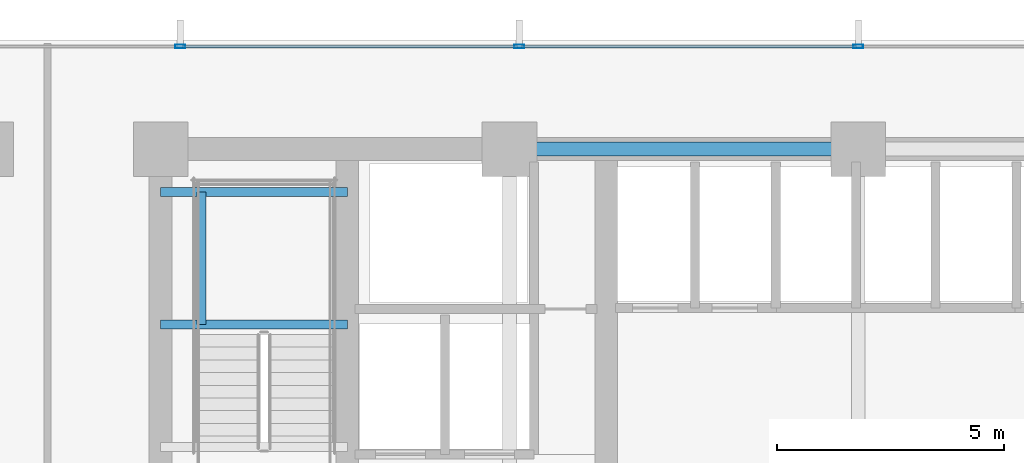
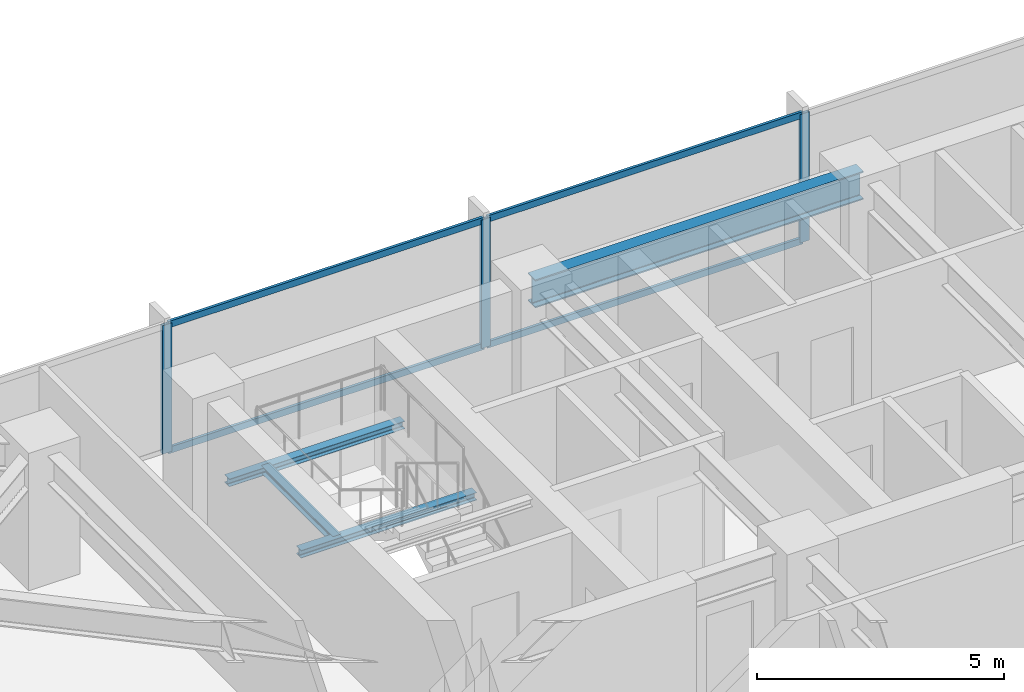
# One storey, part 17 of 31: 7 members, 4 beams, 1 element without a shape of its own.
"""IFC4 building model written with IfcOpenShell, lengths in metres."""

from ifc_helpers import new_model, si_unit, direction, frame, origin, origin_2d, place, context, subcontext, project, spatial, hollow_rectangle, i_section, extrude, material, material_profile, profile_set, type_object, element, aggregate, save


model = new_model("IFC4")

# Units and contexts
model_context = context("Model", 3, precision=1e-05, world=origin(), true_north=direction((0.0, 1.0)))
body_context = subcontext(model_context, "Body", "Model", "MODEL_VIEW")
ifc_project = project(units=[si_unit("LENGTHUNIT", "METRE"), si_unit("AREAUNIT", "SQUARE_METRE"), si_unit("VOLUMEUNIT", "CUBIC_METRE"), si_unit("PLANEANGLEUNIT", "RADIAN"), si_unit("MASSUNIT", "GRAM", prefix="KILO")], contexts=[model_context])

# Site, building, storey
site_placement = place(None, origin())
site = spatial("IfcSite", under=ifc_project, at=site_placement, CompositionType="ELEMENT")
building_placement = place(site_placement, origin())
building = spatial("IfcBuilding", under=site, at=building_placement, Name="Yelkora Congress Tower", CompositionType="ELEMENT")
storey_placement = place(building_placement, frame((0.0, 0.0, 30.39990234375)))
storey = spatial("IfcBuildingStorey", under=building, at=storey_placement, Name="L06", CompositionType="ELEMENT", Elevation=30.39990234375)

# Beams
ifc_material_1 = material(Name="Steel S355J2", Category="steel")
ifc_material_profile_1 = material_profile(ifc_material_1, i_section(OverallWidth=0.300048828125, OverallDepth=0.699951171875, WebThickness=0.01708984375, FlangeThickness=0.031982421875, FilletRadius=0.027099609375, at=origin_2d()), Name="HEB 700")
ifc_profile_set_1 = profile_set([ifc_material_profile_1], Name="Steel S355J2")
beam_type_1 = type_object("IfcBeamType", Name="BM-GIRD-HEB700", PredefinedType="BEAM", material=ifc_profile_set_1)
beam_1_placement = place(storey_placement, frame((30.719970703125, 46.199951171875, 2.830078125), z_axis=(1.0, 0.0, 0.0), x_axis=(0.0, 1.0, 0.0)))
element("IfcBeam", 1, at=beam_1_placement, inside=storey, type_object=beam_type_1, Name="L06 Core North Girder 3", PredefinedType="BEAM", context=body_context, shape_type="SweptSolid", body=[
    extrude(i_section(OverallWidth=0.300048828125, OverallDepth=0.699951171875, WebThickness=0.01708984375, FlangeThickness=0.031982421875, FilletRadius=0.027099609375, at=origin_2d()), origin(), (0.0, 0.0, 1.0), 7.679931640625),
])
ifc_material_profile_2 = material_profile(ifc_material_1, i_section(OverallWidth=0.199951171875, OverallDepth=0.18994140625, WebThickness=0.006591796875, FlangeThickness=0.010009765625, FilletRadius=0.01806640625, at=origin_2d()), Name="HEA 200")
ifc_profile_set_2 = profile_set([ifc_material_profile_2], Name="Steel S355J2")
beam_type_2 = type_object("IfcBeamType", Name="BM-LAND-HEA200", PredefinedType="BEAM", material=ifc_profile_set_2)
for number, where, z_axis, x_axis, name in (
    (2, (23.0400390625, 42.340087890625, 1.384765625), (1.0, 0.0, 0.0), (0.0, 1.0, 0.0), "ST-01 L06 Landing Header Beam 1S"),
    (3, (23.0400390625, 45.25, 1.384765625), (1.0, 0.0, 0.0), (0.0, 1.0, 0.0), "ST-01 L06 Landing Header Beam 1N"),
):
    element("IfcBeam", number, at=place(storey_placement, frame(where, z_axis=z_axis, x_axis=x_axis)), inside=storey, type_object=beam_type_2, Name=name, PredefinedType="BEAM", context=body_context, shape_type="SweptSolid", body=[
        extrude(i_section(OverallWidth=0.199951171875, OverallDepth=0.18994140625, WebThickness=0.006591796875, FlangeThickness=0.010009765625, FilletRadius=0.01806640625, at=origin_2d()), origin(), (0.0, 0.0, 1.0), 4.10986328125),
    ])
beam_2_placement = place(storey_placement, frame((23.93994140625, 42.340087890625, 1.384765625), z_axis=(0.0, 1.0, 0.0), x_axis=(-1.0, 0.0, 0.0)))
element("IfcBeam", 4, at=beam_2_placement, inside=storey, type_object=beam_type_2, Name="ST-01 L06 Landing Trimmer Beam 1M", PredefinedType="BEAM", context=body_context, shape_type="SweptSolid", body=[
    extrude(i_section(OverallWidth=0.199951171875, OverallDepth=0.18994140625, WebThickness=0.006591796875, FlangeThickness=0.010009765625, FilletRadius=0.01806640625, at=origin_2d()), origin(), (0.0, 0.0, 1.0), 2.909912109375),
])

# Curtain wall, members
ifc_material_2 = material(Name="Anodised aluminium and insulated glass", Category="aluminium")
curtain_wall_type = type_object("IfcCurtainWallType", Name="CW-SYS-B1", PredefinedType="NOTDEFINED", material=ifc_material_2)
curtain_wall_placement = place(storey_placement, origin())
curtain_wall = element("IfcCurtainWall", 5, at=curtain_wall_placement, inside=storey, type_object=curtain_wall_type, Name="L06 Unitised Curtain Wall 10", PredefinedType="NOTDEFINED")
ifc_material_3 = material(Name="Anodised aluminium 6063-T6", Category="aluminium")
ifc_material_profile_3 = material_profile(ifc_material_3, hollow_rectangle(XDim=0.074951171875, YDim=0.219970703125, WallThickness=0.0048828125, at=origin_2d()), Name="ALU 75x220x5")
ifc_profile_set_3 = profile_set([ifc_material_profile_3], Name="Anodised aluminium 6063-T6")
member_type_1 = type_object("IfcMemberType", Name="MEM-ML-B1", PredefinedType="MULLION", material=ifc_profile_set_3)
member_1_placement = place(storey_placement, frame((23.469970703125, 48.4599609375, 0.0), z_axis=(0.0, 0.0, 1.0), x_axis=(0.0, 1.0, 0.0)))
member_1 = element("IfcMember", 6, at=member_1_placement, type_object=member_type_1, Name="CW-B1 mullion 3", PredefinedType="MULLION", context=body_context, shape_type="SweptSolid", body=[
    extrude(hollow_rectangle(XDim=0.074951171875, YDim=0.219970703125, WallThickness=0.0048828125, at=origin_2d()), origin(), (0.0, 0.0, 1.0), 3.18017578125),
])
member_2_placement = place(storey_placement, frame((30.93505859375, 48.4599609375, 0.0), z_axis=(0.0, 0.0, 1.0), x_axis=(0.0, 1.0, 0.0)))
member_2 = element("IfcMember", 7, at=member_2_placement, type_object=member_type_1, Name="CW-B1 mullion 4", PredefinedType="MULLION", context=body_context, shape_type="SweptSolid", body=[
    extrude(hollow_rectangle(XDim=0.074951171875, YDim=0.219970703125, WallThickness=0.0048828125, at=origin_2d()), origin(), (0.0, 0.0, 1.0), 3.18017578125),
])
member_3_placement = place(storey_placement, frame((38.39990234375, 48.4599609375, 0.0), z_axis=(0.0, 0.0, 1.0), x_axis=(0.0, 1.0, 0.0)))
member_3 = element("IfcMember", 8, at=member_3_placement, type_object=member_type_1, Name="CW-B1 mullion 5", PredefinedType="MULLION", context=body_context, shape_type="SweptSolid", body=[
    extrude(hollow_rectangle(XDim=0.074951171875, YDim=0.219970703125, WallThickness=0.0048828125, at=origin_2d()), origin(), (0.0, 0.0, 1.0), 3.18017578125),
])
ifc_material_profile_4 = material_profile(ifc_material_3, hollow_rectangle(XDim=0.06494140625, YDim=0.159912109375, WallThickness=0.00390625, at=origin_2d()), Name="ALU 65x160x4")
ifc_profile_set_4 = profile_set([ifc_material_profile_4], Name="Anodised aluminium 6063-T6")
member_type_2 = type_object("IfcMemberType", Name="MEM-TR-B1", PredefinedType="USERDEFINED", material=ifc_profile_set_4)
member_4_placement = place(storey_placement, frame((23.507568359375, 48.4599609375, 0.03271484375), z_axis=(1.0, 0.0, 0.0), x_axis=(0.0, 1.0, 0.0)))
member_4 = element("IfcMember", 9, at=member_4_placement, type_object=member_type_2, Name="CW-B1 transom 3.1", ObjectType="TRANSOM", PredefinedType="USERDEFINED", context=body_context, shape_type="SweptSolid", body=[
    extrude(hollow_rectangle(XDim=0.06494140625, YDim=0.159912109375, WallThickness=0.00390625, at=origin_2d()), origin(), (0.0, 0.0, 1.0), 7.389892578125),
])
member_5_placement = place(storey_placement, frame((23.507568359375, 48.4599609375, 3.147705078125), z_axis=(1.0, 0.0, 0.0), x_axis=(0.0, 1.0, 0.0)))
member_5 = element("IfcMember", 10, at=member_5_placement, type_object=member_type_2, Name="CW-B1 transom 3.2", ObjectType="TRANSOM", PredefinedType="USERDEFINED", context=body_context, shape_type="SweptSolid", body=[
    extrude(hollow_rectangle(XDim=0.06494140625, YDim=0.159912109375, WallThickness=0.00390625, at=origin_2d()), origin(), (0.0, 0.0, 1.0), 7.389892578125),
])
member_6_placement = place(storey_placement, frame((30.972412109375, 48.4599609375, 0.03271484375), z_axis=(1.0, 0.0, 0.0), x_axis=(0.0, 1.0, 0.0)))
member_6 = element("IfcMember", 11, at=member_6_placement, type_object=member_type_2, Name="CW-B1 transom 4.1", ObjectType="TRANSOM", PredefinedType="USERDEFINED", context=body_context, shape_type="SweptSolid", body=[
    extrude(hollow_rectangle(XDim=0.06494140625, YDim=0.159912109375, WallThickness=0.00390625, at=origin_2d()), origin(), (0.0, 0.0, 1.0), 7.39013671875),
])
member_7_placement = place(storey_placement, frame((30.972412109375, 48.4599609375, 3.147705078125), z_axis=(1.0, 0.0, 0.0), x_axis=(0.0, 1.0, 0.0)))
member_7 = element("IfcMember", 12, at=member_7_placement, type_object=member_type_2, Name="CW-B1 transom 4.2", ObjectType="TRANSOM", PredefinedType="USERDEFINED", context=body_context, shape_type="SweptSolid", body=[
    extrude(hollow_rectangle(XDim=0.06494140625, YDim=0.159912109375, WallThickness=0.00390625, at=origin_2d()), origin(), (0.0, 0.0, 1.0), 7.39013671875),
])
aggregate(curtain_wall, [member_1, member_2, member_3, member_4, member_5, member_6, member_7])

save(model, "model.ifc")
